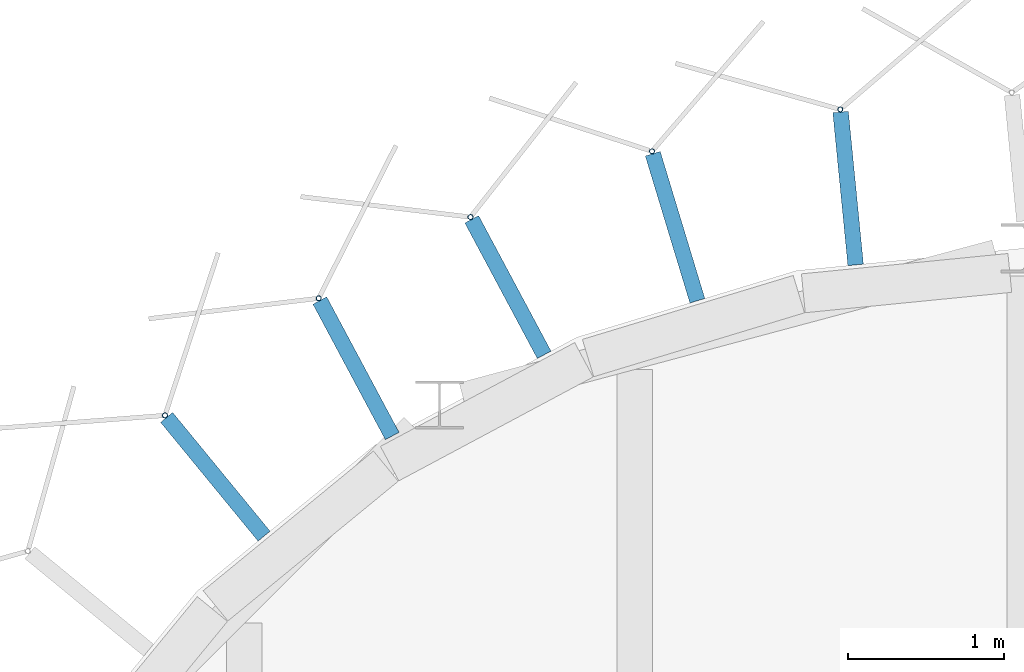
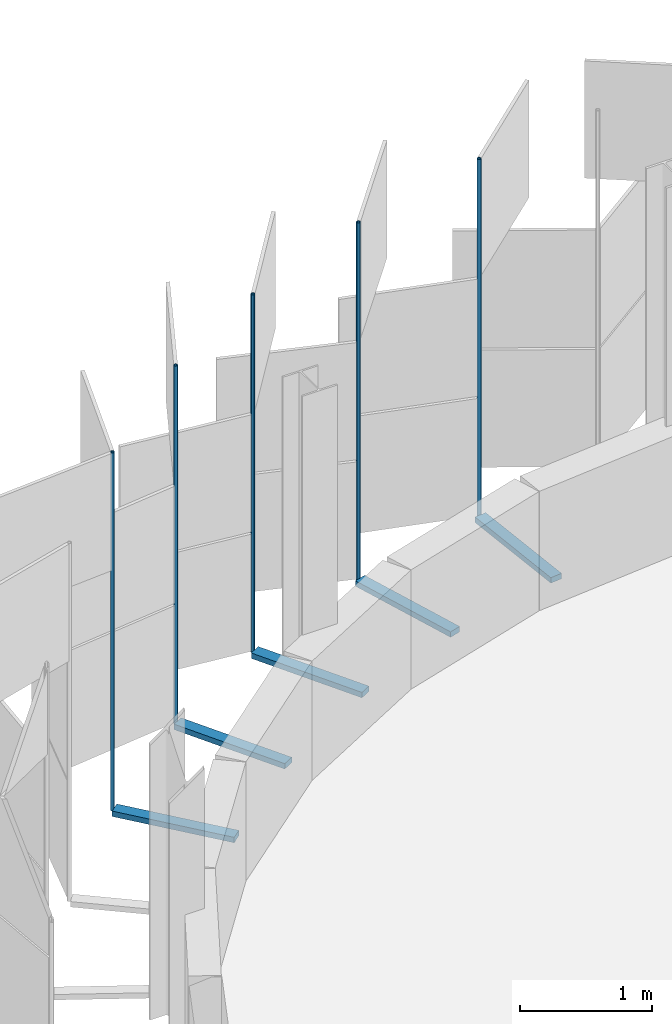
# One storey, part 132 of 198: 10 discrete accessories.
"""IFC4 building model written with IfcOpenShell, lengths in metres."""

from ifc_helpers import new_model, si_unit, direction, frame, origin, origin_2d, place, context, subcontext, project, spatial, rectangle, hollow_circle, extrude, material, material_profile, profile_set, type_object, element, save


model = new_model("IFC4")

# Units and contexts
model_context = context("Model", 3, precision=1e-05, world=origin(), true_north=direction((0.0, 1.0)))
body_context = subcontext(model_context, "Body", "Model", "MODEL_VIEW")
ifc_project = project(units=[si_unit("LENGTHUNIT", "METRE"), si_unit("AREAUNIT", "SQUARE_METRE"), si_unit("VOLUMEUNIT", "CUBIC_METRE"), si_unit("PLANEANGLEUNIT", "RADIAN"), si_unit("MASSUNIT", "GRAM", prefix="KILO")], contexts=[model_context])

# Site, building, storey
site_placement = place(None, origin())
site = spatial("IfcSite", under=ifc_project, at=site_placement, CompositionType="ELEMENT")
building_placement = place(site_placement, origin())
building = spatial("IfcBuilding", under=site, at=building_placement, Name="Parallax Yard Mobility Hub", CompositionType="ELEMENT")
storey_placement = place(building_placement, frame((0.0, 0.0, 6.60009765625)))
storey = spatial("IfcBuildingStorey", under=building, at=storey_placement, Name="L02", CompositionType="ELEMENT", Elevation=6.60009765625)

# Discrete accessories
ifc_material_1 = material(Name="Steel ASTM A36, hot-dip galvanised", Category="steel")
discrete_accessory_type_1 = type_object("IfcDiscreteAccessoryType", Name="Hinge bracket plate 100x50", PredefinedType="BRACKET", material=ifc_material_1)
for number, where, z_axis, x_axis, name in (
    (1, (28.867919921875, 142.88232421875, -0.02490234375), (0.0, 0.0, 1.0), (-0.09801714033, 0.995184726672, 0.0), "Hinge bracket plate bay 70.2 level L02"),
    (2, (27.75927734375, 142.6337890625, -0.02490234375), (0.0, 0.0, 1.0), (-0.290284677254, 0.956940335732, 0.0), "Hinge bracket plate bay 70.3 level L02"),
    (3, (26.6884765625, 142.25048828125, -0.02490234375), (0.0, 0.0, 1.0), (-0.471396736826, 0.881921264348, 0.0), "Hinge bracket plate bay 70.4 level L02"),
    (4, (25.715087890625, 141.730224609375, -0.02490234375), (0.0, 0.0, 1.0), (-0.471396736826, 0.881921264348, 0.0), "Hinge bracket plate bay 70.5 level L02"),
    (5, (24.813720703125, 141.03515625, -0.02490234375), (0.0, 0.0, 1.0), (-0.634393284164, 0.773010453363, 0.0), "Hinge bracket plate bay 70.6 level L02"),
):
    element("IfcDiscreteAccessory", number, at=place(storey_placement, frame(where, z_axis=z_axis, x_axis=x_axis)), inside=storey, type_object=discrete_accessory_type_1, Name=name, PredefinedType="BRACKET", context=body_context, shape_type="SweptSolid", body=[
        extrude(rectangle(XDim=0.984130859375, YDim=0.10009765625, at=origin_2d()), origin(), (0.0, 0.0, 1.0), 0.050048828125),
    ])
ifc_material_2 = material(Name="Steel ASTM A500 Gr C, hot-dip galvanised", Category="steel")
ifc_material_profile = material_profile(ifc_material_2, hollow_circle(Radius=0.016845703125, WallThickness=0.003173828125, at=origin_2d()), Name="CHS 33.7x3.2")
ifc_profile_set = profile_set([ifc_material_profile], Name="Steel ASTM A500 Gr C, hot-dip galvanised")
discrete_accessory_type_2 = type_object("IfcDiscreteAccessoryType", Name="Hinge post CHS 33.7x3.2", PredefinedType="BRACKET", material=ifc_profile_set)
for number, where, z_axis, x_axis, name in (
    (6, (28.818115234375, 143.388427734375, 0.0), (0.0, 0.0, 1.0), (1.0, 0.0, 0.0), "Hinge post bay 70.2 level L02"),
    (7, (27.611572265625, 143.1201171875, 0.0), (0.0, 0.0, 1.0), (1.0, 0.0, 0.0), "Hinge post bay 70.3 level L02"),
    (8, (26.44873046875, 142.698974609375, 0.0), (0.0, 0.0, 1.0), (1.0, 0.0, 0.0), "Hinge post bay 70.4 level L02"),
    (9, (25.4755859375, 142.1787109375, 0.0), (0.0, 0.0, 1.0), (1.0, 0.0, 0.0), "Hinge post bay 70.5 level L02"),
    (10, (24.490966796875, 141.427978515625, 0.0), (0.0, 0.0, 1.0), (1.0, 0.0, 0.0), "Hinge post bay 70.6 level L02"),
):
    element("IfcDiscreteAccessory", number, at=place(storey_placement, frame(where, z_axis=z_axis, x_axis=x_axis)), inside=storey, type_object=discrete_accessory_type_2, Name=name, PredefinedType="BRACKET", context=body_context, shape_type="SweptSolid", body=[
        extrude(hollow_circle(Radius=0.016845703125, WallThickness=0.003173828125, at=origin_2d()), origin(), (0.0, 0.0, 1.0), 3.2998046875),
    ])

save(model, "model.ifc")
